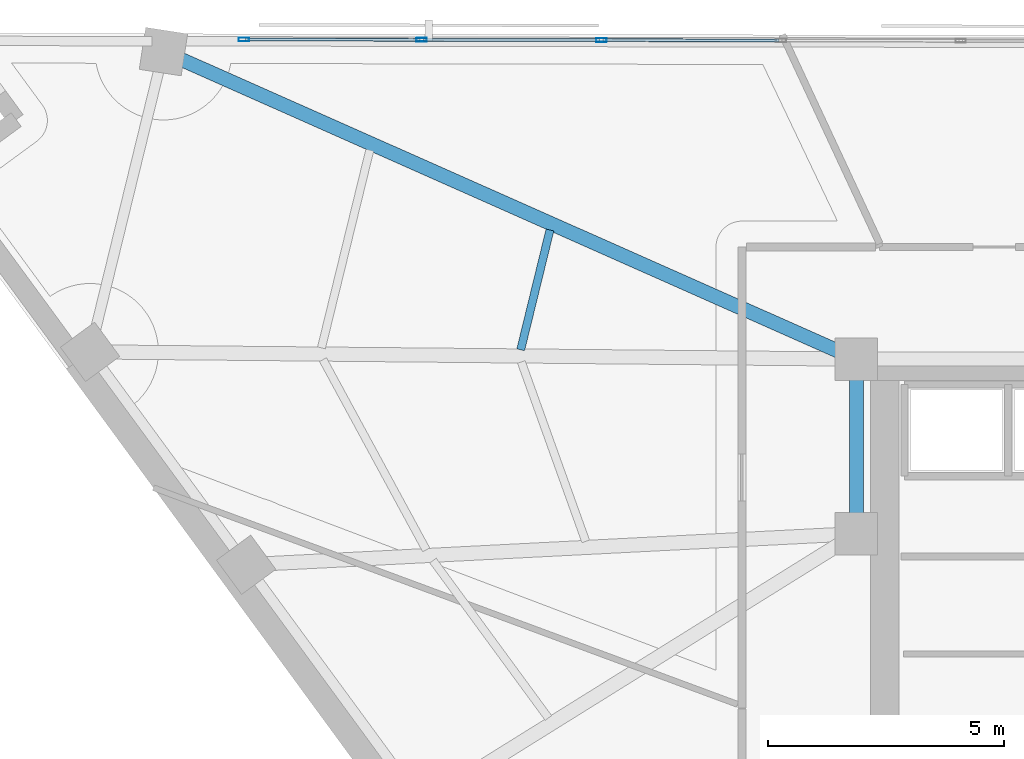
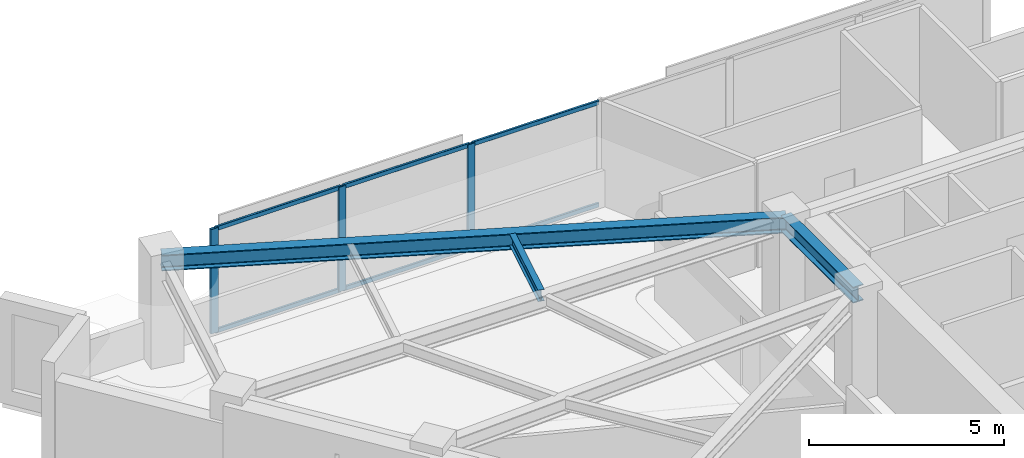
# One storey, part 2 of 14: 9 members, 3 beams, 1 element without a shape of its own.
"""IFC4 building model written with IfcOpenShell, lengths in metres."""

from ifc_helpers import new_model, si_unit, direction, frame, origin, origin_2d, place, context, subcontext, project, spatial, hollow_rectangle, i_section, extrude, material, material_profile, profile_set, type_object, element, aggregate, save


model = new_model("IFC4")

# Units and contexts
model_context = context("Model", 3, precision=1e-05, world=origin(), true_north=direction((0.0, 1.0)))
body_context = subcontext(model_context, "Body", "Model", "MODEL_VIEW")
ifc_project = project(units=[si_unit("LENGTHUNIT", "METRE"), si_unit("AREAUNIT", "SQUARE_METRE"), si_unit("VOLUMEUNIT", "CUBIC_METRE"), si_unit("PLANEANGLEUNIT", "RADIAN"), si_unit("MASSUNIT", "GRAM", prefix="KILO")], contexts=[model_context])

# Site, building, storey
site_placement = place(None, origin())
site = spatial("IfcSite", under=ifc_project, at=site_placement, CompositionType="ELEMENT")
building_placement = place(site_placement, origin())
building = spatial("IfcBuilding", under=site, at=building_placement, Name="Narakoshi Arena Tower", CompositionType="ELEMENT")
storey_placement = place(building_placement, frame((0.0, 0.0, 250.179931640625)))
storey = spatial("IfcBuildingStorey", under=building, at=storey_placement, Name="L68", CompositionType="ELEMENT", Elevation=250.179931640625)

# Beams
ifc_material_1 = material(Name="Structural steel S355J2", Category="steel")
ifc_material_profile_1 = material_profile(ifc_material_1, i_section(OverallWidth=0.300048828125, OverallDepth=0.5, WebThickness=0.014404296875, FlangeThickness=0.028076171875, FilletRadius=0.027099609375, at=origin_2d()), Name="HE500B")
ifc_profile_set_1 = profile_set([ifc_material_profile_1], Name="Structural steel S355J2")
beam_type_1 = type_object("IfcBeamType", Name="BM-PRI-500", PredefinedType="BEAM", material=ifc_profile_set_1)
beam_1_placement = place(storey_placement, frame((72.0, 56.5, 3.010009765625), z_axis=(-0.914014379094, 0.405681790089, 0.0), x_axis=(-0.405681790089, -0.914014379094, 0.0)))
element("IfcBeam", 1, at=beam_1_placement, inside=storey, type_object=beam_type_1, Name="L68 Radial Primary Floor Girder 08", PredefinedType="BEAM", context=body_context, shape_type="SweptSolid", body=[
    extrude(i_section(OverallWidth=0.300048828125, OverallDepth=0.5, WebThickness=0.014404296875, FlangeThickness=0.028076171875, FilletRadius=0.027099609375, at=origin_2d()), origin(), (0.0, 0.0, 1.0), 16.072998046875),
])
beam_2_placement = place(storey_placement, frame((72.0, 52.800048828125, 3.010009765625), z_axis=(0.0, 1.0, 0.0), x_axis=(-1.0, 0.0, 0.0)))
element("IfcBeam", 2, at=beam_2_placement, inside=storey, type_object=beam_type_1, Name="L68 Core Perimeter Frame Beam CC4-CC5", PredefinedType="BEAM", context=body_context, shape_type="SweptSolid", body=[
    extrude(i_section(OverallWidth=0.300048828125, OverallDepth=0.5, WebThickness=0.014404296875, FlangeThickness=0.028076171875, FilletRadius=0.027099609375, at=origin_2d()), origin(), (0.0, 0.0, 1.0), 3.699951171875),
])
ifc_material_profile_2 = material_profile(ifc_material_1, i_section(OverallWidth=0.169921875, OverallDepth=0.360107421875, WebThickness=0.008056640625, FlangeThickness=0.0126953125, FilletRadius=0.01806640625, at=origin_2d()), Name="IPE360")
ifc_profile_set_2 = profile_set([ifc_material_profile_2], Name="Structural steel S355J2")
beam_type_2 = type_object("IfcBeamType", Name="BM-SEC-360", PredefinedType="JOIST", material=ifc_profile_set_2)
beam_3_placement = place(storey_placement, frame((65.50390625, 59.23779296875, 3.080078125), z_axis=(-0.237388442465, -0.971414807064, 0.0), x_axis=(0.971414807064, -0.237388442465, 0.0)))
element("IfcBeam", 3, at=beam_3_placement, inside=storey, type_object=beam_type_2, Name="L68 Composite Secondary Floor Joist 07", PredefinedType="JOIST", context=body_context, shape_type="SweptSolid", body=[
    extrude(i_section(OverallWidth=0.169921875, OverallDepth=0.360107421875, WebThickness=0.008056640625, FlangeThickness=0.0126953125, FilletRadius=0.01806640625, at=origin_2d()), origin(), (0.0, 0.0, 1.0), 2.61328125),
])

# Curtain wall, members
ifc_material_2 = material(Name="Anodised bronze aluminium 6063-T6", Category="aluminium")
curtain_wall_type = type_object("IfcCurtainWallType", Name="CW-HYP-HIGH", PredefinedType="NOTDEFINED", material=ifc_material_2)
curtain_wall_placement = place(storey_placement, origin())
curtain_wall = element("IfcCurtainWall", 4, at=curtain_wall_placement, inside=storey, type_object=curtain_wall_type, Name="L68 Folded Hypotenuse Curtain Wall 2-1", PredefinedType="NOTDEFINED")
ifc_material_profile_3 = material_profile(ifc_material_2, hollow_rectangle(XDim=0.080078125, YDim=0.219970703125, WallThickness=0.0048828125, OuterFilletRadius=0.006103515625, at=origin_2d()), Name="MUL220x80x5")
ifc_profile_set_3 = profile_set([ifc_material_profile_3], Name="Anodised bronze aluminium 6063-T6")
member_type_1 = type_object("IfcMemberType", Name="MEM-MUL-220", PredefinedType="MULLION", material=ifc_profile_set_3)
member_1_placement = place(storey_placement, frame((66.59326171875, 63.263671875, 0.0), z_axis=(0.0, 0.0, 1.0), x_axis=(-0.001819896899, -0.999998343986, 0.0)))
member_1 = element("IfcMember", 5, at=member_1_placement, type_object=member_type_1, Name="CW-03 mullion 5", PredefinedType="MULLION", context=body_context, shape_type="SweptSolid", body=[
    extrude(hollow_rectangle(XDim=0.080078125, YDim=0.219970703125, WallThickness=0.0048828125, OuterFilletRadius=0.006103515625, at=origin_2d()), origin(), (0.0, 0.0, 1.0), 3.260009765625),
])
member_2_placement = place(storey_placement, frame((62.78369140625, 63.270751953125, 0.0), z_axis=(0.0, 0.0, 1.0), x_axis=(-0.001819896899, -0.999998343986, 0.0)))
member_2 = element("IfcMember", 6, at=member_2_placement, type_object=member_type_1, Name="CW-03 mullion 6", PredefinedType="MULLION", context=body_context, shape_type="SweptSolid", body=[
    extrude(hollow_rectangle(XDim=0.080078125, YDim=0.219970703125, WallThickness=0.0048828125, OuterFilletRadius=0.006103515625, at=origin_2d()), origin(), (0.0, 0.0, 1.0), 3.260009765625),
])
member_3_placement = place(storey_placement, frame((59.013916015625, 63.277587890625, 0.0), z_axis=(0.0, 0.0, 1.0), x_axis=(-0.001819896899, -0.999998343986, 0.0)))
member_3 = element("IfcMember", 7, at=member_3_placement, type_object=member_type_1, Name="CW-03 mullion 7", PredefinedType="MULLION", context=body_context, shape_type="SweptSolid", body=[
    extrude(hollow_rectangle(XDim=0.080078125, YDim=0.219970703125, WallThickness=0.0048828125, OuterFilletRadius=0.006103515625, at=origin_2d()), origin(), (0.0, 0.0, 1.0), 3.260009765625),
])
ifc_material_profile_4 = material_profile(ifc_material_2, hollow_rectangle(XDim=0.06494140625, YDim=0.1298828125, WallThickness=0.00390625, OuterFilletRadius=0.0048828125, at=origin_2d()), Name="TRN130x65x4")
ifc_profile_set_4 = profile_set([ifc_material_profile_4], Name="Anodised bronze aluminium 6063-T6")
member_type_2 = type_object("IfcMemberType", Name="MEM-TRN-130", PredefinedType="USERDEFINED", material=ifc_profile_set_4)
member_4_placement = place(storey_placement, frame((70.363037109375, 63.2568359375, 0.032470703125), z_axis=(-0.999998320389, 0.001832817502, 0.0), x_axis=(-0.001832817502, -0.999998320389, 0.0)))
member_4 = element("IfcMember", 8, at=member_4_placement, type_object=member_type_2, Name="CW-03 transom 4.1", ObjectType="TRANSOM", PredefinedType="USERDEFINED", context=body_context, shape_type="SweptSolid", body=[
    extrude(hollow_rectangle(XDim=0.06494140625, YDim=0.1298828125, WallThickness=0.00390625, OuterFilletRadius=0.0048828125, at=origin_2d()), origin(), (0.0, 0.0, 1.0), 3.729736328125),
])
member_5_placement = place(storey_placement, frame((70.363037109375, 63.2568359375, 3.2275390625), z_axis=(-0.999998320389, 0.001832817502, 0.0), x_axis=(-0.001832817502, -0.999998320389, 0.0)))
member_5 = element("IfcMember", 9, at=member_5_placement, type_object=member_type_2, Name="CW-03 transom 4.2", ObjectType="TRANSOM", PredefinedType="USERDEFINED", context=body_context, shape_type="SweptSolid", body=[
    extrude(hollow_rectangle(XDim=0.06494140625, YDim=0.1298828125, WallThickness=0.00390625, OuterFilletRadius=0.0048828125, at=origin_2d()), origin(), (0.0, 0.0, 1.0), 3.729736328125),
])
member_6_placement = place(storey_placement, frame((66.553466796875, 63.263916015625, 0.032470703125), z_axis=(-0.999998438218, 0.001767359942, 0.0), x_axis=(-0.001767359942, -0.999998438218, 0.0)))
member_6 = element("IfcMember", 10, at=member_6_placement, type_object=member_type_2, Name="CW-03 transom 5.1", ObjectType="TRANSOM", PredefinedType="USERDEFINED", context=body_context, shape_type="SweptSolid", body=[
    extrude(hollow_rectangle(XDim=0.06494140625, YDim=0.1298828125, WallThickness=0.00390625, OuterFilletRadius=0.0048828125, at=origin_2d()), origin(), (0.0, 0.0, 1.0), 3.729736328125),
])
member_7_placement = place(storey_placement, frame((66.553466796875, 63.263916015625, 3.2275390625), z_axis=(-0.999998438218, 0.001767359942, 0.0), x_axis=(-0.001767359942, -0.999998438218, 0.0)))
member_7 = element("IfcMember", 11, at=member_7_placement, type_object=member_type_2, Name="CW-03 transom 5.2", ObjectType="TRANSOM", PredefinedType="USERDEFINED", context=body_context, shape_type="SweptSolid", body=[
    extrude(hollow_rectangle(XDim=0.06494140625, YDim=0.1298828125, WallThickness=0.00390625, OuterFilletRadius=0.0048828125, at=origin_2d()), origin(), (0.0, 0.0, 1.0), 3.729736328125),
])
member_8_placement = place(storey_placement, frame((62.74365234375, 63.270751953125, 0.032470703125), z_axis=(-0.999998404139, 0.001786538537, 0.0), x_axis=(-0.001786538537, -0.999998404139, 0.0)))
member_8 = element("IfcMember", 12, at=member_8_placement, type_object=member_type_2, Name="CW-03 transom 6.1", ObjectType="TRANSOM", PredefinedType="USERDEFINED", context=body_context, shape_type="SweptSolid", body=[
    extrude(hollow_rectangle(XDim=0.06494140625, YDim=0.1298828125, WallThickness=0.00390625, OuterFilletRadius=0.0048828125, at=origin_2d()), origin(), (0.0, 0.0, 1.0), 3.689697265625),
])
member_9_placement = place(storey_placement, frame((62.74365234375, 63.270751953125, 3.2275390625), z_axis=(-0.999998404139, 0.001786538537, 0.0), x_axis=(-0.001786538537, -0.999998404139, 0.0)))
member_9 = element("IfcMember", 13, at=member_9_placement, type_object=member_type_2, Name="CW-03 transom 6.2", ObjectType="TRANSOM", PredefinedType="USERDEFINED", context=body_context, shape_type="SweptSolid", body=[
    extrude(hollow_rectangle(XDim=0.06494140625, YDim=0.1298828125, WallThickness=0.00390625, OuterFilletRadius=0.0048828125, at=origin_2d()), origin(), (0.0, 0.0, 1.0), 3.689697265625),
])
aggregate(curtain_wall, [member_1, member_2, member_3, member_4, member_5, member_6, member_7, member_8, member_9])

save(model, "model.ifc")
